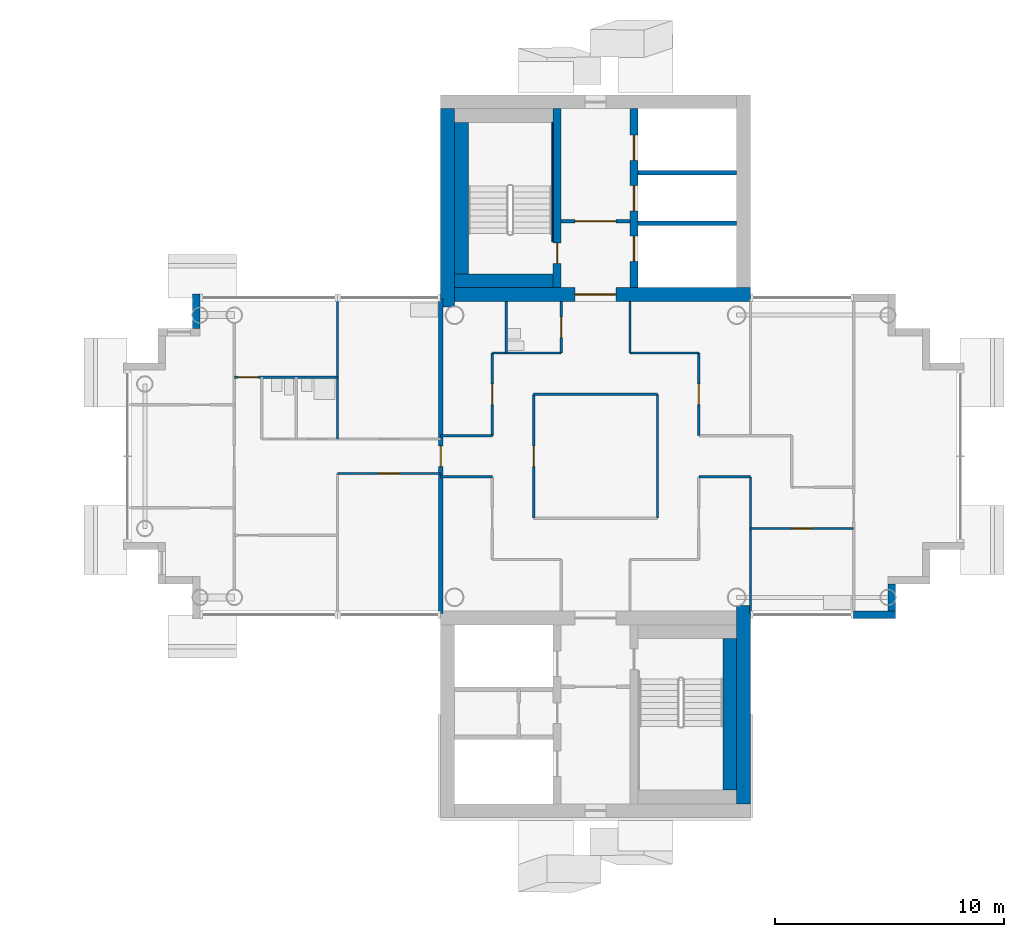
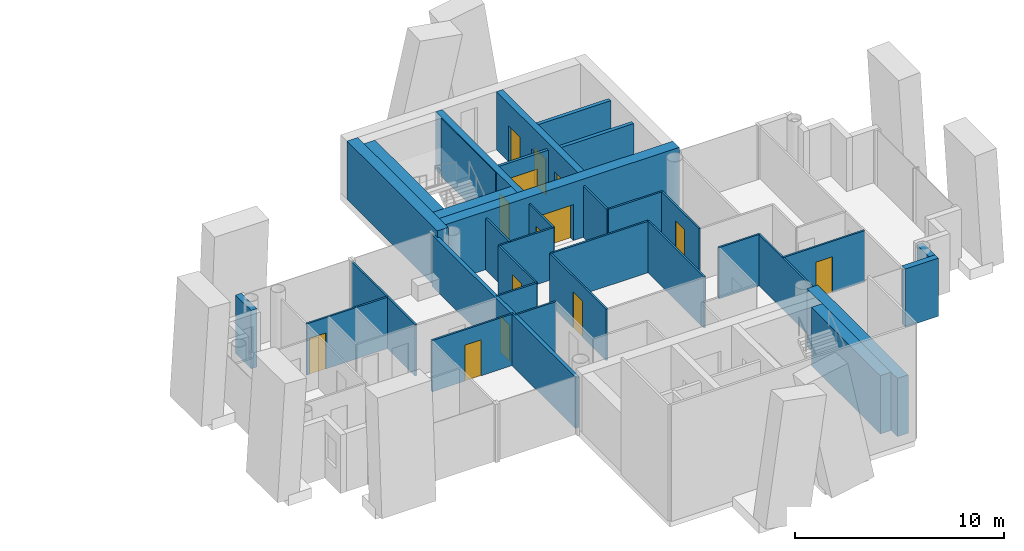
# One storey, part 10 of 18: 34 walls, 14 doors, 14 openings.
"""IFC4 building model written with IfcOpenShell, lengths in metres."""

from ifc_helpers import new_model, si_unit, direction, frame, frame_2d, origin, place, context, subcontext, project, spatial, rectangle, extrude, material, layer, layer_set, type_object, element, fill, save


model = new_model("IFC4")

# Units and contexts
model_context = context("Model", 3, precision=1e-05, world=origin(), true_north=direction((0.0, 1.0)))
body_context = subcontext(model_context, "Body", "Model", "MODEL_VIEW")
ifc_project = project(units=[si_unit("LENGTHUNIT", "METRE"), si_unit("AREAUNIT", "SQUARE_METRE"), si_unit("VOLUMEUNIT", "CUBIC_METRE"), si_unit("PLANEANGLEUNIT", "RADIAN"), si_unit("MASSUNIT", "GRAM", prefix="KILO")], contexts=[model_context])

# Site, building, storey
site_placement = place(None, origin())
site = spatial("IfcSite", under=ifc_project, at=site_placement, CompositionType="ELEMENT")
building_placement = place(site_placement, origin())
building = spatial("IfcBuilding", under=site, at=building_placement, Name="Ipe Terrace Towers", CompositionType="ELEMENT")
storey_placement = place(building_placement, frame((0.0, 0.0, 196.0)))
storey = spatial("IfcBuildingStorey", under=building, at=storey_placement, Name="L54", CompositionType="ELEMENT", Elevation=196.0)

# Walls
ifc_material_1 = material(Name="Concrete C40/50 with buff precast cladding", Category="concrete")
ifc_layer_1 = layer(ifc_material_1, 0.320068359375)
ifc_layer_set_1 = layer_set([ifc_layer_1], Name="BUFF CLADDING WALL 320")
wall_type_1 = type_object("IfcWallType", Name="BUFF CLADDING WALL 320", PredefinedType="STANDARD", material=ifc_layer_set_1)
wall_1_placement = place(storey_placement, frame((47.25, -6.909912109375, -0.300048828125), z_axis=(0.0, 0.0, 1.0), x_axis=(1.0, 0.0, 0.0)))
element("IfcWall", 1, at=wall_1_placement, inside=storey, type_object=wall_type_1, Name="T2-W-L54-03a wall", PredefinedType="STANDARD", context=body_context, shape_type="SweptSolid", body=[
    extrude(rectangle(XDim=1.820068359375, YDim=0.320068359375, at=frame_2d((0.91015625, 0.0))), origin(), (0.0, 0.0, 1.0), 3.400146484375),
])
wall_2_placement = place(storey_placement, frame((48.909912109375, -6.75, -0.300048828125), z_axis=(0.0, 0.0, 1.0), x_axis=(0.0, 1.0, 0.0)))
element("IfcWall", 2, at=wall_2_placement, inside=storey, type_object=wall_type_1, Name="T2-W-L54-04a wall", PredefinedType="STANDARD", context=body_context, shape_type="SweptSolid", body=[
    extrude(rectangle(XDim=1.179931640625, YDim=0.320068359375, at=frame_2d((0.58984375, 0.0))), origin(), (0.0, 0.0, 1.0), 3.400146484375),
])
wall_3_placement = place(storey_placement, frame((18.590087890625, 7.070068359375, -0.300048828125), z_axis=(0.0, 0.0, 1.0), x_axis=(0.0, -1.0, 0.0)))
element("IfcWall", 3, at=wall_3_placement, inside=storey, type_object=wall_type_1, Name="T2-W-L54-22a wall", PredefinedType="STANDARD", context=body_context, shape_type="SweptSolid", body=[
    extrude(rectangle(XDim=1.5, YDim=0.320068359375, at=frame_2d((0.75, 0.0))), origin(), (0.0, 0.0, 1.0), 3.400146484375),
])

# Wall, opening, door
ifc_material_2 = material(Name="Gypsum board partition", Category="plasterboard")
ifc_layer_2 = layer(ifc_material_2, 0.10009765625)
ifc_layer_set_2 = layer_set([ifc_layer_2], Name="Gypsum board partition 100 mm")
wall_type_2 = type_object("IfcWallType", Name="Gypsum board partition 100 mm", PredefinedType="PARTITIONING", material=ifc_layer_set_2)
wall_4_placement = place(storey_placement, frame((47.25, -3.14990234375, 0.0), z_axis=(0.0, 0.0, 1.0), x_axis=(-1.0, 0.0, 0.0)))
wall_4 = element("IfcWall", 4, at=wall_4_placement, inside=storey, type_object=wall_type_2, Name="Gypsum board partition T2 L54 W04", PredefinedType="PARTITIONING", context=body_context, shape_type="SweptSolid", body=[
    extrude(rectangle(XDim=4.5, YDim=0.10009765625, at=frame_2d((2.25, 0.0))), origin(), (0.0, 0.0, 1.0), 3.0),
])
opening_1_placement = place(wall_4_placement, frame((1.800048828125, 0.0, 0.0)))
opening_1 = element("IfcOpeningElement", 5, at=opening_1_placement, cuts=wall_4, Name="Opening T2-Z4D-18", PredefinedType="OPENING", context=body_context, shape_type="SweptSolid", body=[
    extrude(rectangle(XDim=0.89990234375, YDim=2.10009765625, at=frame_2d((0.449951171875, 1.050048828125))), frame((0.0, 0.06005859375, 0.0), z_axis=(0.0, -1.0, 0.0), x_axis=(1.0, 0.0, 0.0)), (0.0, 0.0, 1.0), 0.1201171875),
])
ifc_material_3 = material(Name="Timber door leaf", Category="wood")
door_type_1 = type_object("IfcDoorType", Name="Lounge door 900 x 2100", OperationType="NOTDEFINED", PredefinedType="DOOR", material=ifc_material_3)
door_1_placement = place(opening_1_placement, origin())
door_1 = element("IfcDoor", 6, at=door_1_placement, inside=storey, type_object=door_type_1, Name="Lounge door T2-Z4D-18", OperationType="SINGLE_SWING_LEFT", OverallHeight=2.10009765625, OverallWidth=0.89990234375, PredefinedType="DOOR", context=body_context, shape_type="SweptSolid", body=[
    extrude(rectangle(XDim=0.89990234375, YDim=2.10009765625, at=frame_2d((0.449951171875, 1.050048828125))), frame((0.0, 0.02490234375, 0.0), z_axis=(0.0, -1.0, 0.0), x_axis=(1.0, 0.0, 0.0)), (0.0, 0.0, 1.0), 0.050048828125),
])
fill(opening_1, door_1)

# Walls
for number, where, z_axis, x_axis, name in (
    (7, (42.75, -0.89990234375, 0.0), (0.0, 0.0, 1.0), (-1.0, 0.0, 0.0), "Gypsum board partition T2 L54 W08"),
    (8, (31.5, -0.89990234375, 0.0), (0.0, 0.0, 1.0), (-1.0, 0.0, 0.0), "Gypsum board partition T2 L54 W09"),
):
    element("IfcWall", number, at=place(storey_placement, frame(where, z_axis=z_axis, x_axis=x_axis)), inside=storey, type_object=wall_type_2, Name=name, PredefinedType="PARTITIONING", context=body_context, shape_type="SweptSolid", body=[
        extrude(rectangle(XDim=2.25, YDim=0.10009765625, at=frame_2d((1.125, 0.0))), origin(), (0.0, 0.0, 1.0), 3.0),
    ])

# Wall, opening, door
wall_5_placement = place(storey_placement, frame((29.25, -0.75, 0.0), z_axis=(0.0, 0.0, 1.0), x_axis=(-1.0, 0.0, 0.0)))
wall_5 = element("IfcWall", 9, at=wall_5_placement, inside=storey, type_object=wall_type_2, Name="Gypsum board partition T2 L54 W10", PredefinedType="PARTITIONING", context=body_context, shape_type="SweptSolid", body=[
    extrude(rectangle(XDim=4.5, YDim=0.10009765625, at=frame_2d((2.25, 0.0))), origin(), (0.0, 0.0, 1.0), 3.0),
])
opening_2_placement = place(wall_5_placement, frame((1.800048828125, 0.0, 0.0)))
opening_2 = element("IfcOpeningElement", 10, at=opening_2_placement, cuts=wall_5, Name="Opening T2-Z4D-07", PredefinedType="OPENING", context=body_context, shape_type="SweptSolid", body=[
    extrude(rectangle(XDim=0.89990234375, YDim=2.10009765625, at=frame_2d((0.449951171875, 1.050048828125))), frame((0.0, 0.06005859375, 0.0), z_axis=(0.0, -1.0, 0.0), x_axis=(1.0, 0.0, 0.0)), (0.0, 0.0, 1.0), 0.1201171875),
])
door_2_placement = place(opening_2_placement, origin())
door_2 = element("IfcDoor", 11, at=door_2_placement, inside=storey, type_object=door_type_1, Name="Lounge door T2-Z4D-07", OperationType="SINGLE_SWING_LEFT", OverallHeight=2.10009765625, OverallWidth=0.89990234375, PredefinedType="DOOR", context=body_context, shape_type="SweptSolid", body=[
    extrude(rectangle(XDim=0.89990234375, YDim=2.10009765625, at=frame_2d((0.449951171875, 1.050048828125))), frame((0.0, 0.02490234375, 0.0), z_axis=(0.0, -1.0, 0.0), x_axis=(1.0, 0.0, 0.0)), (0.0, 0.0, 1.0), 0.050048828125),
])
fill(opening_2, door_2)

# Walls
wall_6_placement = place(storey_placement, frame((31.5, 0.89990234375, 0.0), z_axis=(0.0, 0.0, 1.0), x_axis=(-1.0, 0.0, 0.0)))
element("IfcWall", 12, at=wall_6_placement, inside=storey, type_object=wall_type_2, Name="Gypsum board partition T2 L54 W13", PredefinedType="PARTITIONING", context=body_context, shape_type="SweptSolid", body=[
    extrude(rectangle(XDim=2.25, YDim=0.10009765625, at=frame_2d((1.125, 0.0))), origin(), (0.0, 0.0, 1.0), 3.0),
])
wall_7_placement = place(storey_placement, frame((38.699951171875, 2.699951171875, 0.0), z_axis=(0.0, 0.0, 1.0), x_axis=(-1.0, 0.0, 0.0)))
element("IfcWall", 13, at=wall_7_placement, inside=storey, type_object=wall_type_2, Name="Gypsum board partition T2 L54 W15", PredefinedType="PARTITIONING", context=body_context, shape_type="SweptSolid", body=[
    extrude(rectangle(XDim=5.39990234375, YDim=0.10009765625, at=frame_2d((2.699951171875, 0.0))), origin(), (0.0, 0.0, 1.0), 3.0),
])

# Wall, opening, door
wall_8_placement = place(storey_placement, frame((24.75, 3.449951171875, 0.0), z_axis=(0.0, 0.0, 1.0), x_axis=(-1.0, 0.0, 0.0)))
wall_8 = element("IfcWall", 14, at=wall_8_placement, inside=storey, type_object=wall_type_2, Name="Gypsum board partition T2 L54 W16", PredefinedType="PARTITIONING", context=body_context, shape_type="SweptSolid", body=[
    extrude(rectangle(XDim=4.5, YDim=0.10009765625, at=frame_2d((2.25, 0.0))), origin(), (0.0, 0.0, 1.0), 3.0),
])
opening_3_placement = place(wall_8_placement, frame((3.449951171875, 0.0, 0.0)))
opening_3 = element("IfcOpeningElement", 15, at=opening_3_placement, cuts=wall_8, Name="Opening T2-Z4D-13", PredefinedType="OPENING", context=body_context, shape_type="SweptSolid", body=[
    extrude(rectangle(XDim=0.89990234375, YDim=2.10009765625, at=frame_2d((0.449951171875, 1.050048828125))), frame((0.0, 0.06005859375, 0.0), z_axis=(0.0, -1.0, 0.0), x_axis=(1.0, 0.0, 0.0)), (0.0, 0.0, 1.0), 0.1201171875),
])
ifc_material_4 = material(Name="Timber door leaf", Category="wood")
door_type_2 = type_object("IfcDoorType", Name="Bedroom door 900 x 2100", OperationType="NOTDEFINED", PredefinedType="DOOR", material=ifc_material_4)
door_3_placement = place(opening_3_placement, origin())
door_3 = element("IfcDoor", 16, at=door_3_placement, inside=storey, type_object=door_type_2, Name="Bedroom door T2-Z4D-13", OperationType="SINGLE_SWING_RIGHT", OverallHeight=2.10009765625, OverallWidth=0.89990234375, PredefinedType="DOOR", context=body_context, shape_type="SweptSolid", body=[
    extrude(rectangle(XDim=0.89990234375, YDim=2.10009765625, at=frame_2d((0.449951171875, 1.050048828125))), frame((0.0, 0.02490234375, 0.0), z_axis=(0.0, -1.0, 0.0), x_axis=(1.0, 0.0, 0.0)), (0.0, 0.0, 1.0), 0.050048828125),
])
fill(opening_3, door_3)

# Walls
for number, where, z_axis, x_axis, name in (
    (17, (40.5, 4.5, 0.0), (0.0, 0.0, 1.0), (-1.0, 0.0, 0.0), "Gypsum board partition T2 L54 W17"),
    (18, (34.5, 4.5, 0.0), (0.0, 0.0, 1.0), (-1.0, 0.0, 0.0), "Gypsum board partition T2 L54 W18"),
):
    element("IfcWall", number, at=place(storey_placement, frame(where, z_axis=z_axis, x_axis=x_axis)), inside=storey, type_object=wall_type_2, Name=name, PredefinedType="PARTITIONING", context=body_context, shape_type="SweptSolid", body=[
        extrude(rectangle(XDim=3.0, YDim=0.10009765625, at=frame_2d((1.5, 0.0))), origin(), (0.0, 0.0, 1.0), 3.0),
    ])
wall_9_placement = place(storey_placement, frame((42.75, -6.85009765625, 0.0), z_axis=(0.0, 0.0, 1.0), x_axis=(0.0, 1.0, 0.0)))
element("IfcWall", 19, at=wall_9_placement, inside=storey, type_object=wall_type_2, Name="Gypsum board partition T2 L54 W21", PredefinedType="PARTITIONING", context=body_context, shape_type="SweptSolid", body=[
    extrude(rectangle(XDim=5.9501953125, YDim=0.10009765625, at=frame_2d((2.97509765625, 0.0))), origin(), (0.0, 0.0, 1.0), 3.0),
])

# Wall, opening, door
wall_10_placement = place(storey_placement, frame((40.5, 0.89990234375, 0.0), z_axis=(0.0, 0.0, 1.0), x_axis=(0.0, 1.0, 0.0)))
wall_10 = element("IfcWall", 20, at=wall_10_placement, inside=storey, type_object=wall_type_2, Name="Gypsum board partition T2 L54 W24", PredefinedType="PARTITIONING", context=body_context, shape_type="SweptSolid", body=[
    extrude(rectangle(XDim=3.60009765625, YDim=0.10009765625, at=frame_2d((1.800048828125, 0.0))), origin(), (0.0, 0.0, 1.0), 3.0),
])
opening_4_placement = place(wall_10_placement, frame((1.35009765625, 0.0, 0.0)))
opening_4 = element("IfcOpeningElement", 21, at=opening_4_placement, cuts=wall_10, Name="Opening T2-Z4D-06", PredefinedType="OPENING", context=body_context, shape_type="SweptSolid", body=[
    extrude(rectangle(XDim=0.89990234375, YDim=2.10009765625, at=frame_2d((0.449951171875, 1.050048828125))), frame((0.0, 0.06005859375, 0.0), z_axis=(0.0, -1.0, 0.0), x_axis=(1.0, 0.0, 0.0)), (0.0, 0.0, 1.0), 0.1201171875),
])
door_4_placement = place(opening_4_placement, origin())
door_4 = element("IfcDoor", 22, at=door_4_placement, inside=storey, type_object=door_type_1, Name="Lounge door T2-Z4D-06", OperationType="SINGLE_SWING_LEFT", OverallHeight=2.10009765625, OverallWidth=0.89990234375, PredefinedType="DOOR", context=body_context, shape_type="SweptSolid", body=[
    extrude(rectangle(XDim=0.89990234375, YDim=2.10009765625, at=frame_2d((0.449951171875, 1.050048828125))), frame((0.0, 0.02490234375, 0.0), z_axis=(0.0, -1.0, 0.0), x_axis=(1.0, 0.0, 0.0)), (0.0, 0.0, 1.0), 0.050048828125),
])
fill(opening_4, door_4)

# Walls
wall_11_placement = place(storey_placement, frame((38.699951171875, -2.699951171875, 0.0), z_axis=(0.0, 0.0, 1.0), x_axis=(0.0, 1.0, 0.0)))
element("IfcWall", 23, at=wall_11_placement, inside=storey, type_object=wall_type_2, Name="Gypsum board partition T2 L54 W25", PredefinedType="PARTITIONING", context=body_context, shape_type="SweptSolid", body=[
    extrude(rectangle(XDim=5.39990234375, YDim=0.10009765625, at=frame_2d((2.699951171875, 0.0))), origin(), (0.0, 0.0, 1.0), 3.0),
])
wall_12_placement = place(storey_placement, frame((37.5, 4.5, 0.0), z_axis=(0.0, 0.0, 1.0), x_axis=(0.0, 1.0, 0.0)))
element("IfcWall", 24, at=wall_12_placement, inside=storey, type_object=wall_type_2, Name="Gypsum board partition T2 L54 W27", PredefinedType="PARTITIONING", context=body_context, shape_type="SweptSolid", body=[
    extrude(rectangle(XDim=2.25, YDim=0.10009765625, at=frame_2d((1.125, 0.0))), origin(), (0.0, 0.0, 1.0), 3.0),
])

# Wall, opening, door
wall_13_placement = place(storey_placement, frame((34.5, 4.5, 0.0), z_axis=(0.0, 0.0, 1.0), x_axis=(0.0, 1.0, 0.0)))
wall_13 = element("IfcWall", 25, at=wall_13_placement, inside=storey, type_object=wall_type_2, Name="Gypsum board partition T2 L54 W29", PredefinedType="PARTITIONING", context=body_context, shape_type="SweptSolid", body=[
    extrude(rectangle(XDim=2.25, YDim=0.10009765625, at=frame_2d((1.125, 0.0))), origin(), (0.0, 0.0, 1.0), 3.0),
])
opening_5_placement = place(wall_13_placement, frame((0.675048828125, 0.0, 0.0)))
opening_5 = element("IfcOpeningElement", 26, at=opening_5_placement, cuts=wall_13, Name="Opening T2-Z4D-02", PredefinedType="OPENING", context=body_context, shape_type="SweptSolid", body=[
    extrude(rectangle(XDim=0.89990234375, YDim=2.10009765625, at=frame_2d((0.449951171875, 1.050048828125))), frame((0.0, 0.06005859375, 0.0), z_axis=(0.0, -1.0, 0.0), x_axis=(1.0, 0.0, 0.0)), (0.0, 0.0, 1.0), 0.1201171875),
])
ifc_material_5 = material(Name="Timber door leaf", Category="wood")
door_type_3 = type_object("IfcDoorType", Name="Bathroom door 900 x 2100", OperationType="NOTDEFINED", PredefinedType="DOOR", material=ifc_material_5)
door_5_placement = place(opening_5_placement, origin())
door_5 = element("IfcDoor", 27, at=door_5_placement, inside=storey, type_object=door_type_3, Name="Bathroom door T2-Z4D-02", OperationType="SINGLE_SWING_LEFT", OverallHeight=2.10009765625, OverallWidth=0.89990234375, PredefinedType="DOOR", context=body_context, shape_type="SweptSolid", body=[
    extrude(rectangle(XDim=0.89990234375, YDim=2.10009765625, at=frame_2d((0.449951171875, 1.050048828125))), frame((0.0, 0.02490234375, 0.0), z_axis=(0.0, -1.0, 0.0), x_axis=(1.0, 0.0, 0.0)), (0.0, 0.0, 1.0), 0.050048828125),
])
fill(opening_5, door_5)

wall_14_placement = place(storey_placement, frame((33.300048828125, -2.699951171875, 0.0), z_axis=(0.0, 0.0, 1.0), x_axis=(0.0, 1.0, 0.0)))
wall_14 = element("IfcWall", 28, at=wall_14_placement, inside=storey, type_object=wall_type_2, Name="Gypsum board partition T2 L54 W30", PredefinedType="PARTITIONING", context=body_context, shape_type="SweptSolid", body=[
    extrude(rectangle(XDim=5.39990234375, YDim=0.10009765625, at=frame_2d((2.699951171875, 0.0))), origin(), (0.0, 0.0, 1.0), 3.0),
])
opening_6_placement = place(wall_14_placement, frame((2.25, 0.0, 0.0)))
opening_6 = element("IfcOpeningElement", 29, at=opening_6_placement, cuts=wall_14, Name="Opening T2-Z4D-01", PredefinedType="OPENING", context=body_context, shape_type="SweptSolid", body=[
    extrude(rectangle(XDim=0.89990234375, YDim=2.10009765625, at=frame_2d((0.449951171875, 1.050048828125))), frame((0.0, 0.06005859375, 0.0), z_axis=(0.0, -1.0, 0.0), x_axis=(1.0, 0.0, 0.0)), (0.0, 0.0, 1.0), 0.1201171875),
])
door_6_placement = place(opening_6_placement, origin())
door_6 = element("IfcDoor", 30, at=door_6_placement, inside=storey, type_object=door_type_1, Name="Lounge door T2-Z4D-01", OperationType="SINGLE_SWING_RIGHT", OverallHeight=2.10009765625, OverallWidth=0.89990234375, PredefinedType="DOOR", context=body_context, shape_type="SweptSolid", body=[
    extrude(rectangle(XDim=0.89990234375, YDim=2.10009765625, at=frame_2d((0.449951171875, 1.050048828125))), frame((0.0, 0.02490234375, 0.0), z_axis=(0.0, -1.0, 0.0), x_axis=(1.0, 0.0, 0.0)), (0.0, 0.0, 1.0), 0.050048828125),
])
fill(opening_6, door_6)

# Wall
wall_15_placement = place(storey_placement, frame((32.10009765625, 4.5, 0.0), z_axis=(0.0, 0.0, 1.0), x_axis=(0.0, 1.0, 0.0)))
element("IfcWall", 31, at=wall_15_placement, inside=storey, type_object=wall_type_2, Name="Gypsum board partition T2 L54 W31", PredefinedType="PARTITIONING", context=body_context, shape_type="SweptSolid", body=[
    extrude(rectangle(XDim=2.25, YDim=0.10009765625, at=frame_2d((1.125, 0.0))), origin(), (0.0, 0.0, 1.0), 3.0),
])

# Wall, opening, door
wall_16_placement = place(storey_placement, frame((31.5, 0.89990234375, 0.0), z_axis=(0.0, 0.0, 1.0), x_axis=(0.0, 1.0, 0.0)))
wall_16 = element("IfcWall", 32, at=wall_16_placement, inside=storey, type_object=wall_type_2, Name="Gypsum board partition T2 L54 W33", PredefinedType="PARTITIONING", context=body_context, shape_type="SweptSolid", body=[
    extrude(rectangle(XDim=3.60009765625, YDim=0.10009765625, at=frame_2d((1.800048828125, 0.0))), origin(), (0.0, 0.0, 1.0), 3.0),
])
opening_7_placement = place(wall_16_placement, frame((1.35009765625, 0.0, 0.0)))
opening_7 = element("IfcOpeningElement", 33, at=opening_7_placement, cuts=wall_16, Name="Opening T2-Z4D-03", PredefinedType="OPENING", context=body_context, shape_type="SweptSolid", body=[
    extrude(rectangle(XDim=0.89990234375, YDim=2.10009765625, at=frame_2d((0.449951171875, 1.050048828125))), frame((0.0, 0.06005859375, 0.0), z_axis=(0.0, -1.0, 0.0), x_axis=(1.0, 0.0, 0.0)), (0.0, 0.0, 1.0), 0.1201171875),
])
door_7_placement = place(opening_7_placement, origin())
door_7 = element("IfcDoor", 34, at=door_7_placement, inside=storey, type_object=door_type_1, Name="Lounge door T2-Z4D-03", OperationType="SINGLE_SWING_LEFT", OverallHeight=2.10009765625, OverallWidth=0.89990234375, PredefinedType="DOOR", context=body_context, shape_type="SweptSolid", body=[
    extrude(rectangle(XDim=0.89990234375, YDim=2.10009765625, at=frame_2d((0.449951171875, 1.050048828125))), frame((0.0, 0.02490234375, 0.0), z_axis=(0.0, -1.0, 0.0), x_axis=(1.0, 0.0, 0.0)), (0.0, 0.0, 1.0), 0.050048828125),
])
fill(opening_7, door_7)

# Wall
wall_17_placement = place(storey_placement, frame((24.75, 0.75, 0.0), z_axis=(0.0, 0.0, 1.0), x_axis=(0.0, 1.0, 0.0)))
element("IfcWall", 35, at=wall_17_placement, inside=storey, type_object=wall_type_2, Name="Gypsum board partition T2 L54 W36", PredefinedType="PARTITIONING", context=body_context, shape_type="SweptSolid", body=[
    extrude(rectangle(XDim=6.10009765625, YDim=0.10009765625, at=frame_2d((3.050048828125, 0.0))), origin(), (0.0, 0.0, 1.0), 3.0),
])

# Wall, opening, door
ifc_material_6 = material(Name="Gypsum board partition", Category="plasterboard")
ifc_layer_3 = layer(ifc_material_6, 0.14990234375)
ifc_layer_set_3 = layer_set([ifc_layer_3], Name="Gypsum board partition 150 mm")
wall_type_3 = type_object("IfcWallType", Name="Gypsum board partition 150 mm", PredefinedType="PARTITIONING", material=ifc_layer_set_3)
wall_18_placement = place(storey_placement, frame((37.5, 10.25, 0.0), z_axis=(0.0, 0.0, 1.0), x_axis=(-1.0, 0.0, 0.0)))
wall_18 = element("IfcWall", 36, at=wall_18_placement, inside=storey, type_object=wall_type_3, Name="Gypsum board partition T2 L54 t2c1-lobby-wall", PredefinedType="PARTITIONING", context=body_context, shape_type="SweptSolid", body=[
    extrude(rectangle(XDim=3.0, YDim=0.14990234375, at=frame_2d((1.5, 0.0))), origin(), (0.0, 0.0, 1.0), 3.0),
])
opening_8_placement = place(wall_18_placement, frame((0.60009765625, 0.0, 0.0)))
opening_8 = element("IfcOpeningElement", 37, at=opening_8_placement, cuts=wall_18, Name="Opening T2C1-VD", PredefinedType="OPENING", context=body_context, shape_type="SweptSolid", body=[
    extrude(rectangle(XDim=1.800048828125, YDim=2.10009765625, at=frame_2d((0.89990234375, 1.050048828125))), frame((0.0, 0.0849609375, 0.0), z_axis=(0.0, -1.0, 0.0), x_axis=(1.0, 0.0, 0.0)), (0.0, 0.0, 1.0), 0.169921875),
])
ifc_material_7 = material(Name="Fire-rated timber door leaf", Category="wood")
door_type_4 = type_object("IfcDoorType", Name="Lobby door 1800 x 2100 FD60", OperationType="NOTDEFINED", PredefinedType="DOOR", material=ifc_material_7)
door_8_placement = place(opening_8_placement, origin())
door_8 = element("IfcDoor", 38, at=door_8_placement, inside=storey, type_object=door_type_4, Name="Lobby door T2C1-VD", OperationType="SINGLE_SWING_LEFT", OverallHeight=2.10009765625, OverallWidth=1.800048828125, PredefinedType="DOOR", context=body_context, shape_type="SweptSolid", body=[
    extrude(rectangle(XDim=1.800048828125, YDim=2.10009765625, at=frame_2d((0.89990234375, 1.050048828125))), frame((0.0, 0.02490234375, 0.0), z_axis=(0.0, -1.0, 0.0), x_axis=(1.0, 0.0, 0.0)), (0.0, 0.0, 1.0), 0.050048828125),
])
fill(opening_8, door_8)

# Walls
ifc_material_8 = material(Name="Gypsum board party wall", Category="plasterboard")
ifc_layer_4 = layer(ifc_material_8, 0.199951171875)
ifc_layer_set_4 = layer_set([ifc_layer_4], Name="Gypsum board party wall 200 mm")
wall_type_4 = type_object("IfcWallType", Name="Gypsum board party wall 200 mm", PredefinedType="SOLIDWALL", material=ifc_layer_set_4)
for number, where, z_axis, x_axis, name in (
    (39, (42.14990234375, 10.14990234375, 0.0), (0.0, 0.0, 1.0), (-1.0, 0.0, 0.0), "Gypsum board party wall T2 L54 t2c1-shaft-div1"),
    (40, (42.14990234375, 12.35009765625, 0.0), (0.0, 0.0, 1.0), (-1.0, 0.0, 0.0), "Gypsum board party wall T2 L54 t2c1-shaft-div2"),
):
    element("IfcWall", number, at=place(storey_placement, frame(where, z_axis=z_axis, x_axis=x_axis)), inside=storey, type_object=wall_type_4, Name=name, PredefinedType="SOLIDWALL", context=body_context, shape_type="SweptSolid", body=[
        extrude(rectangle(XDim=4.2998046875, YDim=0.199951171875, at=frame_2d((2.14990234375, 0.0))), origin(), (0.0, 0.0, 1.0), 3.0),
    ])

# Wall, opening, door
wall_19_placement = place(storey_placement, frame((29.25, -6.85009765625, 0.0), z_axis=(0.0, 0.0, 1.0), x_axis=(0.0, 1.0, 0.0)))
wall_19 = element("IfcWall", 41, at=wall_19_placement, inside=storey, type_object=wall_type_4, Name="Gypsum board party wall T2 L54 W34", PredefinedType="SOLIDWALL", context=body_context, shape_type="SweptSolid", body=[
    extrude(rectangle(XDim=13.7001953125, YDim=0.199951171875, at=frame_2d((6.85009765625, 0.0))), origin(), (0.0, 0.0, 1.0), 3.0),
])
opening_9_placement = place(wall_19_placement, frame((6.39990234375, 0.0, 0.0)))
opening_9 = element("IfcOpeningElement", 42, at=opening_9_placement, cuts=wall_19, Name="Opening T2-Z4D-09", PredefinedType="OPENING", context=body_context, shape_type="SweptSolid", body=[
    extrude(rectangle(XDim=0.89990234375, YDim=2.10009765625, at=frame_2d((0.449951171875, 1.050048828125))), frame((0.0, 0.10986328125, 0.0), z_axis=(0.0, -1.0, 0.0), x_axis=(1.0, 0.0, 0.0)), (0.0, 0.0, 1.0), 0.219970703125),
])
ifc_material_9 = material(Name="Fire-rated timber door leaf", Category="wood")
door_type_5 = type_object("IfcDoorType", Name="Flat entrance door 900 x 2100 FD30S", OperationType="NOTDEFINED", PredefinedType="DOOR", material=ifc_material_9)
door_9_placement = place(opening_9_placement, origin())
door_9 = element("IfcDoor", 43, at=door_9_placement, inside=storey, type_object=door_type_5, Name="Flat entrance door T2-Z4D-09", OperationType="SINGLE_SWING_LEFT", OverallHeight=2.10009765625, OverallWidth=0.89990234375, PredefinedType="DOOR", context=body_context, shape_type="SweptSolid", body=[
    extrude(rectangle(XDim=0.89990234375, YDim=2.10009765625, at=frame_2d((0.449951171875, 1.050048828125))), frame((0.0, 0.02490234375, 0.0), z_axis=(0.0, -1.0, 0.0), x_axis=(1.0, 0.0, 0.0)), (0.0, 0.0, 1.0), 0.050048828125),
])
fill(opening_9, door_9)

ifc_material_10 = material(Name="Concrete C40/50", Category="concrete")
ifc_layer_5 = layer(ifc_material_10, 0.35009765625)
ifc_layer_set_5 = layer_set([ifc_layer_5], Name="RW350 CORE SPINE WALL 350 C40-50")
wall_type_5 = type_object("IfcWallType", Name="RW350 CORE SPINE WALL 350 C40-50", PredefinedType="SHEAR", material=ifc_layer_set_5)
wall_20_placement = place(storey_placement, frame((34.324951171875, 7.35009765625, 0.0), z_axis=(0.0, 0.0, 1.0), x_axis=(0.0, 1.0, 0.0)))
wall_20 = element("IfcWall", 44, at=wall_20_placement, inside=storey, type_object=wall_type_5, Name="Core spine wall T2-C1-Z4-SW1", PredefinedType="SHEAR", context=body_context, shape_type="SweptSolid", body=[
    extrude(rectangle(XDim=7.7998046875, YDim=0.35009765625, at=frame_2d((3.89990234375, 0.0))), origin(), (0.0, 0.0, 1.0), 3.39990234375),
])
opening_10_placement = place(wall_20_placement, frame((1.050048828125, 0.0, 0.0)))
opening_10 = element("IfcOpeningElement", 45, at=opening_10_placement, cuts=wall_20, Name="Opening T2C1-SD", PredefinedType="OPENING", context=body_context, shape_type="SweptSolid", body=[
    extrude(rectangle(XDim=0.89990234375, YDim=2.10009765625, at=frame_2d((0.449951171875, 1.050048828125))), frame((0.0, 0.18505859375, 0.0), z_axis=(0.0, -1.0, 0.0), x_axis=(1.0, 0.0, 0.0)), (0.0, 0.0, 1.0), 0.3701171875),
])
ifc_material_11 = material(Name="Fire-rated timber door leaf", Category="wood")
door_type_6 = type_object("IfcDoorType", Name="Stair door 900 x 2100 FD60", OperationType="NOTDEFINED", PredefinedType="DOOR", material=ifc_material_11)
door_10_placement = place(opening_10_placement, origin())
door_10 = element("IfcDoor", 46, at=door_10_placement, inside=storey, type_object=door_type_6, Name="Stair door T2C1-SD", OperationType="SINGLE_SWING_LEFT", OverallHeight=2.10009765625, OverallWidth=0.89990234375, PredefinedType="DOOR", context=body_context, shape_type="SweptSolid", body=[
    extrude(rectangle(XDim=0.89990234375, YDim=2.10009765625, at=frame_2d((0.449951171875, 1.050048828125))), frame((0.0, 0.02490234375, 0.0), z_axis=(0.0, -1.0, 0.0), x_axis=(1.0, 0.0, 0.0)), (0.0, 0.0, 1.0), 0.050048828125),
])
fill(opening_10, door_10)

# Wall, openings, doors
wall_21_placement = place(storey_placement, frame((37.675048828125, 7.35009765625, 0.0), z_axis=(0.0, 0.0, 1.0), x_axis=(0.0, 1.0, 0.0)))
wall_21 = element("IfcWall", 47, at=wall_21_placement, inside=storey, type_object=wall_type_5, Name="Core spine wall T2-C1-Z4-SW2", PredefinedType="SHEAR", context=body_context, shape_type="SweptSolid", body=[
    extrude(rectangle(XDim=7.7998046875, YDim=0.35009765625, at=frame_2d((3.89990234375, 0.0))), origin(), (0.0, 0.0, 1.0), 3.39990234375),
])
opening_11_placement = place(wall_21_placement, frame((1.14990234375, 0.0, 0.0)))
opening_11 = element("IfcOpeningElement", 48, at=opening_11_placement, cuts=wall_21, Name="Opening T2C1-LD1", PredefinedType="OPENING", context=body_context, shape_type="SweptSolid", body=[
    extrude(rectangle(XDim=1.10009765625, YDim=2.10009765625, at=frame_2d((0.550048828125, 1.050048828125))), frame((0.0, 0.18505859375, 0.0), z_axis=(0.0, -1.0, 0.0), x_axis=(1.0, 0.0, 0.0)), (0.0, 0.0, 1.0), 0.3701171875),
])
opening_12_placement = place(wall_21_placement, frame((3.35009765625, 0.0, 0.0)))
opening_12 = element("IfcOpeningElement", 49, at=opening_12_placement, cuts=wall_21, Name="Opening T2C1-LD2", PredefinedType="OPENING", context=body_context, shape_type="SweptSolid", body=[
    extrude(rectangle(XDim=1.10009765625, YDim=2.10009765625, at=frame_2d((0.550048828125, 1.050048828125))), frame((0.0, 0.18505859375, 0.0), z_axis=(0.0, -1.0, 0.0), x_axis=(1.0, 0.0, 0.0)), (0.0, 0.0, 1.0), 0.3701171875),
])
opening_13_placement = place(wall_21_placement, frame((5.550048828125, 0.0, 0.0)))
opening_13 = element("IfcOpeningElement", 50, at=opening_13_placement, cuts=wall_21, Name="Opening T2C1-LD3", PredefinedType="OPENING", context=body_context, shape_type="SweptSolid", body=[
    extrude(rectangle(XDim=1.10009765625, YDim=2.10009765625, at=frame_2d((0.550048828125, 1.050048828125))), frame((0.0, 0.18505859375, 0.0), z_axis=(0.0, -1.0, 0.0), x_axis=(1.0, 0.0, 0.0)), (0.0, 0.0, 1.0), 0.3701171875),
])
ifc_material_12 = material(Name="Fire-rated timber door leaf", Category="wood")
door_type_7 = type_object("IfcDoorType", Name="Sliding door 1100 x 2100 FD60", OperationType="SLIDING_TO_LEFT", PredefinedType="DOOR", material=ifc_material_12)
door_11_placement = place(opening_11_placement, origin())
door_11 = element("IfcDoor", 51, at=door_11_placement, inside=storey, type_object=door_type_7, Name="Sliding door T2C1-LD1", OperationType="SLIDING_TO_LEFT", OverallHeight=2.10009765625, OverallWidth=1.10009765625, PredefinedType="DOOR", context=body_context, shape_type="SweptSolid", body=[
    extrude(rectangle(XDim=1.10009765625, YDim=2.10009765625, at=frame_2d((0.550048828125, 1.050048828125))), frame((0.0, 0.02490234375, 0.0), z_axis=(0.0, -1.0, 0.0), x_axis=(1.0, 0.0, 0.0)), (0.0, 0.0, 1.0), 0.050048828125),
])
fill(opening_11, door_11)
door_12_placement = place(opening_12_placement, origin())
door_12 = element("IfcDoor", 52, at=door_12_placement, inside=storey, type_object=door_type_7, Name="Sliding door T2C1-LD2", OperationType="SLIDING_TO_LEFT", OverallHeight=2.10009765625, OverallWidth=1.10009765625, PredefinedType="DOOR", context=body_context, shape_type="SweptSolid", body=[
    extrude(rectangle(XDim=1.10009765625, YDim=2.10009765625, at=frame_2d((0.550048828125, 1.050048828125))), frame((0.0, 0.02490234375, 0.0), z_axis=(0.0, -1.0, 0.0), x_axis=(1.0, 0.0, 0.0)), (0.0, 0.0, 1.0), 0.050048828125),
])
fill(opening_12, door_12)
door_13_placement = place(opening_13_placement, origin())
door_13 = element("IfcDoor", 53, at=door_13_placement, inside=storey, type_object=door_type_7, Name="Sliding door T2C1-LD3", OperationType="SLIDING_TO_LEFT", OverallHeight=2.10009765625, OverallWidth=1.10009765625, PredefinedType="DOOR", context=body_context, shape_type="SweptSolid", body=[
    extrude(rectangle(XDim=1.10009765625, YDim=2.10009765625, at=frame_2d((0.550048828125, 1.050048828125))), frame((0.0, 0.02490234375, 0.0), z_axis=(0.0, -1.0, 0.0), x_axis=(1.0, 0.0, 0.0)), (0.0, 0.0, 1.0), 0.050048828125),
])
fill(opening_13, door_13)

# Walls
ifc_material_13 = material(Name="Concrete C40/50", Category="concrete")
ifc_layer_6 = layer(ifc_material_13, 0.050048828125)
ifc_layer_set_6 = layer_set([ifc_layer_6], Name="RW50 CORE INFILL WALL 50 C40-50")
wall_type_6 = type_object("IfcWallType", Name="RW50 CORE INFILL WALL 50 C40-50", PredefinedType="SHEAR", material=ifc_layer_set_6)
wall_22_placement = place(storey_placement, frame((34.125, 9.35009765625, 0.0), z_axis=(0.0, 0.0, 1.0), x_axis=(0.0, 1.0, 0.0)))
element("IfcWall", 54, at=wall_22_placement, inside=storey, type_object=wall_type_6, Name="Core infill wall T2-C1-spine-b", PredefinedType="SHEAR", context=body_context, shape_type="SweptSolid", body=[
    extrude(rectangle(XDim=5.199951171875, YDim=0.050048828125, at=frame_2d((2.60009765625, 0.0))), origin(), (0.0, 0.0, 1.0), 3.39990234375),
])
ifc_material_14 = material(Name="Concrete C40/50", Category="concrete")
ifc_layer_7 = layer(ifc_material_14, 0.60009765625)
ifc_layer_set_7 = layer_set([ifc_layer_7], Name="RW600 CORE INFILL WALL 600 C40-50")
wall_type_7 = type_object("IfcWallType", Name="RW600 CORE INFILL WALL 600 C40-50", PredefinedType="SHEAR", material=ifc_layer_set_7)
wall_23_placement = place(storey_placement, frame((30.14990234375, 7.949951171875, 0.0), z_axis=(0.0, 0.0, 1.0), x_axis=(0.0, 1.0, 0.0)))
element("IfcWall", 55, at=wall_23_placement, inside=storey, type_object=wall_type_7, Name="Core infill wall T2-C1-back", PredefinedType="SHEAR", context=body_context, shape_type="SweptSolid", body=[
    extrude(rectangle(XDim=6.60009765625, YDim=0.60009765625, at=frame_2d((3.300048828125, 0.0))), origin(), (0.0, 0.0, 1.0), 3.39990234375),
])
wall_24_placement = place(storey_placement, frame((34.14990234375, 7.64990234375, 0.0), z_axis=(0.0, 0.0, 1.0), x_axis=(-1.0, 0.0, 0.0)))
element("IfcWall", 56, at=wall_24_placement, inside=storey, type_object=wall_type_7, Name="Core infill wall T2-C1-near", PredefinedType="SHEAR", context=body_context, shape_type="SweptSolid", body=[
    extrude(rectangle(XDim=4.2998046875, YDim=0.60009765625, at=frame_2d((2.14990234375, 0.0))), origin(), (0.0, 0.0, 1.0), 3.39990234375),
])
wall_25_placement = place(storey_placement, frame((41.85009765625, -7.949951171875, 0.0), z_axis=(0.0, 0.0, 1.0), x_axis=(0.0, -1.0, 0.0)))
element("IfcWall", 57, at=wall_25_placement, inside=storey, type_object=wall_type_7, Name="Core infill wall T2-C2-back", PredefinedType="SHEAR", context=body_context, shape_type="SweptSolid", body=[
    extrude(rectangle(XDim=6.60009765625, YDim=0.60009765625, at=frame_2d((3.300048828125, 0.0))), origin(), (0.0, 0.0, 1.0), 3.39990234375),
])

# Wall, opening, door
ifc_material_15 = material(Name="Concrete C40/50", Category="concrete")
ifc_layer_8 = layer(ifc_material_15, 0.60009765625)
ifc_layer_set_8 = layer_set([ifc_layer_8], Name="RW600 CORE WALL 600 C40-50")
wall_type_8 = type_object("IfcWallType", Name="RW600 CORE WALL 600 C40-50", PredefinedType="SHEAR", material=ifc_layer_set_8)
wall_26_placement = place(storey_placement, frame((29.85009765625, 7.050048828125, 0.0), z_axis=(0.0, 0.0, 1.0), x_axis=(1.0, 0.0, 0.0)))
wall_26 = element("IfcWall", 58, at=wall_26_placement, inside=storey, type_object=wall_type_8, Name="Core wall T2-C1-Z4-W01", PredefinedType="SHEAR", context=body_context, shape_type="SweptSolid", body=[
    extrude(rectangle(XDim=12.89990234375, YDim=0.60009765625, at=frame_2d((6.449951171875, 0.0))), origin(), (0.0, 0.0, 1.0), 3.39990234375),
])
opening_14_placement = place(wall_26_placement, frame((5.25, 0.0, 0.0)))
opening_14 = element("IfcOpeningElement", 59, at=opening_14_placement, cuts=wall_26, Name="Opening T2C1-ND", PredefinedType="OPENING", context=body_context, shape_type="SweptSolid", body=[
    extrude(rectangle(XDim=1.800048828125, YDim=2.10009765625, at=frame_2d((0.89990234375, 1.050048828125))), frame((0.0, 0.31005859375, 0.0), z_axis=(0.0, -1.0, 0.0), x_axis=(1.0, 0.0, 0.0)), (0.0, 0.0, 1.0), 0.6201171875),
])
ifc_material_16 = material(Name="Fire-rated timber door leaf", Category="wood")
door_type_8 = type_object("IfcDoorType", Name="Fire door 1800 x 2100 FD30S", OperationType="NOTDEFINED", PredefinedType="DOOR", material=ifc_material_16)
door_14_placement = place(opening_14_placement, origin())
door_14 = element("IfcDoor", 60, at=door_14_placement, inside=storey, type_object=door_type_8, Name="Fire door T2C1-ND", OperationType="SINGLE_SWING_LEFT", OverallHeight=2.10009765625, OverallWidth=1.800048828125, PredefinedType="DOOR", context=body_context, shape_type="SweptSolid", body=[
    extrude(rectangle(XDim=1.800048828125, YDim=2.10009765625, at=frame_2d((0.89990234375, 1.050048828125))), frame((0.0, 0.02490234375, 0.0), z_axis=(0.0, -1.0, 0.0), x_axis=(1.0, 0.0, 0.0)), (0.0, 0.0, 1.0), 0.050048828125),
])
fill(opening_14, door_14)

# Walls
for number, where, z_axis, x_axis, name in (
    (61, (29.550048828125, 15.14990234375, 0.0), (0.0, 0.0, 1.0), (0.0, -1.0, 0.0), "Core wall T2-C1-Z4-W04"),
    (62, (42.449951171875, -15.14990234375, 0.0), (0.0, 0.0, 1.0), (0.0, 1.0, 0.0), "Core wall T2-C2-Z4-W02"),
):
    element("IfcWall", number, at=place(storey_placement, frame(where, z_axis=z_axis, x_axis=x_axis)), inside=storey, type_object=wall_type_8, Name=name, PredefinedType="SHEAR", context=body_context, shape_type="SweptSolid", body=[
        extrude(rectangle(XDim=8.64794921875, YDim=0.60009765625, at=frame_2d((4.323974609375, 0.0))), origin(), (0.0, 0.0, 1.0), 3.39990234375),
    ])

save(model, "model.ifc")
